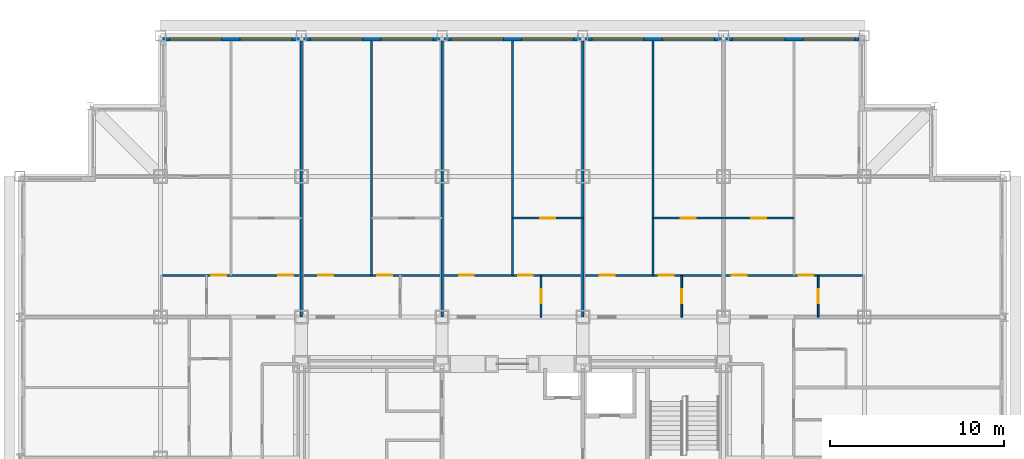
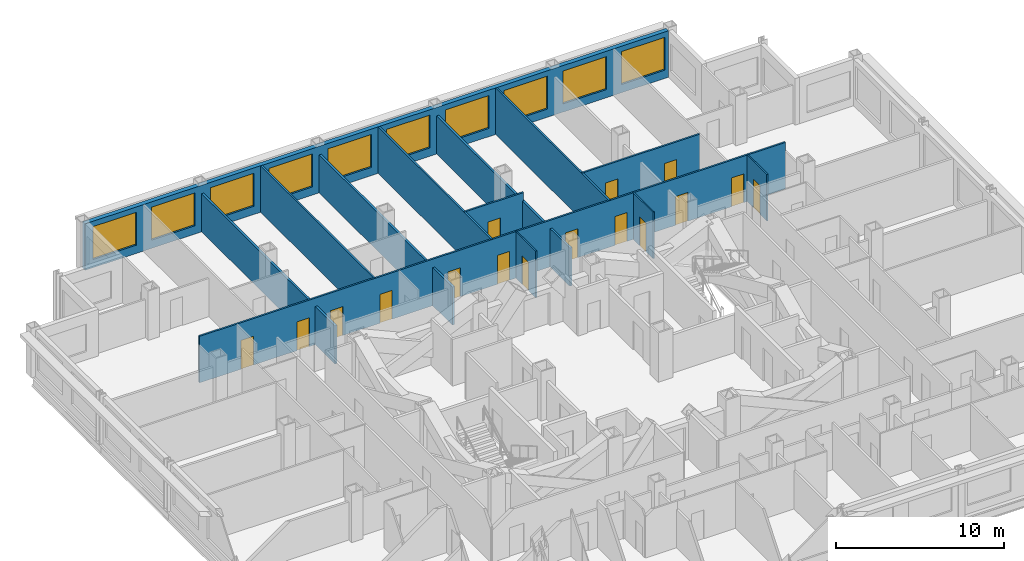
# One storey, part 10 of 12: 16 doors, 13 walls, 10 windows, 26 openings.
"""IFC4 building model written with IfcOpenShell, lengths in metres."""

from ifc_helpers import new_model, si_unit, direction, frame, frame_2d, origin, place, context, subcontext, project, spatial, rectangle, extrude, material, layer, layer_set, type_object, element, fill, save


model = new_model("IFC4")

# Units and contexts
model_context = context("Model", 3, precision=1e-05, world=origin(), true_north=direction((0.0, 1.0)))
body_context = subcontext(model_context, "Body", "Model", "MODEL_VIEW")
ifc_project = project(units=[si_unit("LENGTHUNIT", "METRE"), si_unit("AREAUNIT", "SQUARE_METRE"), si_unit("VOLUMEUNIT", "CUBIC_METRE"), si_unit("PLANEANGLEUNIT", "RADIAN"), si_unit("MASSUNIT", "GRAM", prefix="KILO")], contexts=[model_context])

# Site, building, storey
site_placement = place(None, origin())
site = spatial("IfcSite", under=ifc_project, at=site_placement, CompositionType="ELEMENT")
building_placement = place(site_placement, origin())
building = spatial("IfcBuilding", under=site, at=building_placement, Name="Kopane Lantern Tower", CompositionType="ELEMENT")
storey_placement = place(building_placement, frame((0.0, 0.0, 177.60009765625)))
storey = spatial("IfcBuildingStorey", under=building, at=storey_placement, Name="L45", CompositionType="ELEMENT", Elevation=177.60009765625)

# Walls
ifc_material_1 = material(Name="Gypsum board on steel studs", Category="steel")
ifc_layer_1 = layer(ifc_material_1, 0.1201171875)
ifc_layer_set_1 = layer_set([ifc_layer_1], Name="APARTMENT INTERNAL WALL 120")
wall_type_1 = type_object("IfcWallType", Name="APARTMENT INTERNAL WALL 120", PredefinedType="PARTITIONING", material=ifc_layer_set_1)
for number, where, z_axis, x_axis, name in (
    (1, (20.25, 45.60009765625, 0.0), (0.0, 0.0, 1.0), (0.0, 1.0, 0.0), "Apartment Internal Wall 120 L45"),
    (2, (28.35009765625, 45.60009765625, 0.0), (0.0, 0.0, 1.0), (0.0, 1.0, 0.0), "Apartment Internal Wall 120 L45"),
    (3, (36.449951171875, 45.60009765625, 0.0), (0.0, 0.0, 1.0), (0.0, 1.0, 0.0), "Apartment Internal Wall 120 L45"),
):
    element("IfcWall", number, at=place(storey_placement, frame(where, z_axis=z_axis, x_axis=x_axis)), inside=storey, type_object=wall_type_1, Name=name, PredefinedType="PARTITIONING", context=body_context, shape_type="SweptSolid", body=[
        extrude(rectangle(XDim=13.5, YDim=0.1201171875, at=frame_2d((6.75, 0.0))), origin(), (0.0, 0.0, 1.0), 3.389892578125),
    ])

# Wall, openings, doors
wall_1_placement = place(storey_placement, frame((8.14990234375, 45.60009765625, 0.0), z_axis=(0.0, 0.0, 1.0), x_axis=(1.0, 0.0, 0.0)))
wall_1 = element("IfcWall", 4, at=wall_1_placement, inside=storey, type_object=wall_type_1, Name="Apartment Internal Wall 120 L45", PredefinedType="PARTITIONING", context=body_context, shape_type="SweptSolid", body=[
    extrude(rectangle(XDim=40.400146484375, YDim=0.1201171875, at=frame_2d((20.2001953125, 0.0))), origin(), (0.0, 0.0, 1.0), 3.389892578125),
])
opening_1_placement = place(wall_1_placement, frame((9.02490234375, 0.0, 0.0)))
opening_1 = element("IfcOpeningElement", 5, at=opening_1_placement, cuts=wall_1, Name="Opening L45-022", PredefinedType="OPENING", context=body_context, shape_type="SweptSolid", body=[
    extrude(rectangle(XDim=0.85009765625, YDim=2.10009765625, at=frame_2d((0.425048828125, 1.050048828125))), frame((0.0, 0.070068359375, 0.0), z_axis=(0.0, -1.0, 0.0), x_axis=(1.0, 0.0, 0.0)), (0.0, 0.0, 1.0), 0.14013671875),
])
opening_2_placement = place(wall_1_placement, frame((12.425048828125, 0.0, 0.0)))
opening_2 = element("IfcOpeningElement", 6, at=opening_2_placement, cuts=wall_1, Name="Opening L45-023", PredefinedType="OPENING", context=body_context, shape_type="SweptSolid", body=[
    extrude(rectangle(XDim=0.85009765625, YDim=2.10009765625, at=frame_2d((0.425048828125, 1.050048828125))), frame((0.0, 0.070068359375, 0.0), z_axis=(0.0, -1.0, 0.0), x_axis=(1.0, 0.0, 0.0)), (0.0, 0.0, 1.0), 0.14013671875),
])
opening_3_placement = place(wall_1_placement, frame((17.125, 0.0, 0.0)))
opening_3 = element("IfcOpeningElement", 7, at=opening_3_placement, cuts=wall_1, Name="Opening L45-026", PredefinedType="OPENING", context=body_context, shape_type="SweptSolid", body=[
    extrude(rectangle(XDim=0.85009765625, YDim=2.10009765625, at=frame_2d((0.425048828125, 1.050048828125))), frame((0.0, 0.070068359375, 0.0), z_axis=(0.0, -1.0, 0.0), x_axis=(1.0, 0.0, 0.0)), (0.0, 0.0, 1.0), 0.14013671875),
])
opening_4_placement = place(wall_1_placement, frame((20.52490234375, 0.0, 0.0)))
opening_4 = element("IfcOpeningElement", 8, at=opening_4_placement, cuts=wall_1, Name="Opening L45-027", PredefinedType="OPENING", context=body_context, shape_type="SweptSolid", body=[
    extrude(rectangle(XDim=0.85009765625, YDim=2.10009765625, at=frame_2d((0.425048828125, 1.050048828125))), frame((0.0, 0.070068359375, 0.0), z_axis=(0.0, -1.0, 0.0), x_axis=(1.0, 0.0, 0.0)), (0.0, 0.0, 1.0), 0.14013671875),
])
opening_5_placement = place(wall_1_placement, frame((25.22509765625, 0.0, 0.0)))
opening_5 = element("IfcOpeningElement", 9, at=opening_5_placement, cuts=wall_1, Name="Opening L45-030", PredefinedType="OPENING", context=body_context, shape_type="SweptSolid", body=[
    extrude(rectangle(XDim=0.85009765625, YDim=2.10009765625, at=frame_2d((0.425048828125, 1.050048828125))), frame((0.0, 0.070068359375, 0.0), z_axis=(0.0, -1.0, 0.0), x_axis=(1.0, 0.0, 0.0)), (0.0, 0.0, 1.0), 0.14013671875),
])
opening_6_placement = place(wall_1_placement, frame((28.625, 0.0, 0.0)))
opening_6 = element("IfcOpeningElement", 10, at=opening_6_placement, cuts=wall_1, Name="Opening L45-031", PredefinedType="OPENING", context=body_context, shape_type="SweptSolid", body=[
    extrude(rectangle(XDim=0.85009765625, YDim=2.10009765625, at=frame_2d((0.425048828125, 1.050048828125))), frame((0.0, 0.070068359375, 0.0), z_axis=(0.0, -1.0, 0.0), x_axis=(1.0, 0.0, 0.0)), (0.0, 0.0, 1.0), 0.14013671875),
])
opening_7_placement = place(wall_1_placement, frame((32.824951171875, 0.0, 0.0)))
opening_7 = element("IfcOpeningElement", 11, at=opening_7_placement, cuts=wall_1, Name="Opening L45-063", PredefinedType="OPENING", context=body_context, shape_type="SweptSolid", body=[
    extrude(rectangle(XDim=0.85009765625, YDim=2.10009765625, at=frame_2d((0.425048828125, 1.050048828125))), frame((0.0, 0.070068359375, 0.0), z_axis=(0.0, -1.0, 0.0), x_axis=(1.0, 0.0, 0.0)), (0.0, 0.0, 1.0), 0.14013671875),
])
opening_8_placement = place(wall_1_placement, frame((36.675048828125, 0.0, 0.0)))
opening_8 = element("IfcOpeningElement", 12, at=opening_8_placement, cuts=wall_1, Name="Opening L45-065", PredefinedType="OPENING", context=body_context, shape_type="SweptSolid", body=[
    extrude(rectangle(XDim=0.85009765625, YDim=2.10009765625, at=frame_2d((0.425048828125, 1.050048828125))), frame((0.0, 0.070068359375, 0.0), z_axis=(0.0, -1.0, 0.0), x_axis=(1.0, 0.0, 0.0)), (0.0, 0.0, 1.0), 0.14013671875),
])
opening_9_placement = place(wall_1_placement, frame((6.72509765625, 0.0, 0.0)))
opening_9 = element("IfcOpeningElement", 13, at=opening_9_placement, cuts=wall_1, Name="Opening L45-068", PredefinedType="OPENING", context=body_context, shape_type="SweptSolid", body=[
    extrude(rectangle(XDim=0.85009765625, YDim=2.10009765625, at=frame_2d((0.425048828125, 1.050048828125))), frame((0.0, 0.070068359375, 0.0), z_axis=(0.0, -1.0, 0.0), x_axis=(1.0, 0.0, 0.0)), (0.0, 0.0, 1.0), 0.14013671875),
])
opening_10_placement = place(wall_1_placement, frame((2.875, 0.0, 0.0)))
opening_10 = element("IfcOpeningElement", 14, at=opening_10_placement, cuts=wall_1, Name="Opening L45-070", PredefinedType="OPENING", context=body_context, shape_type="SweptSolid", body=[
    extrude(rectangle(XDim=0.85009765625, YDim=2.10009765625, at=frame_2d((0.425048828125, 1.050048828125))), frame((0.0, 0.070068359375, 0.0), z_axis=(0.0, -1.0, 0.0), x_axis=(1.0, 0.0, 0.0)), (0.0, 0.0, 1.0), 0.14013671875),
])
ifc_material_2 = material(Name="Timber door set", Category="wood")
door_type_1 = type_object("IfcDoorType", Name="DOOR D4 850x2100", OperationType="SINGLE_SWING_LEFT", PredefinedType="DOOR", material=ifc_material_2)
door_1_placement = place(opening_1_placement, origin())
door_1 = element("IfcDoor", 15, at=door_1_placement, inside=storey, type_object=door_type_1, Name="Door L45-022", OperationType="SINGLE_SWING_RIGHT", OverallHeight=2.10009765625, OverallWidth=0.85009765625, PredefinedType="DOOR", context=body_context, shape_type="SweptSolid", body=[
    extrude(rectangle(XDim=0.85009765625, YDim=2.10009765625, at=frame_2d((0.425048828125, 1.050048828125))), frame((0.0, 0.02490234375, 0.0), z_axis=(0.0, -1.0, 0.0), x_axis=(1.0, 0.0, 0.0)), (0.0, 0.0, 1.0), 0.050048828125),
])
fill(opening_1, door_1)
door_2_placement = place(opening_2_placement, origin())
door_2 = element("IfcDoor", 16, at=door_2_placement, inside=storey, type_object=door_type_1, Name="Door L45-023", OperationType="SINGLE_SWING_LEFT", OverallHeight=2.10009765625, OverallWidth=0.85009765625, PredefinedType="DOOR", context=body_context, shape_type="SweptSolid", body=[
    extrude(rectangle(XDim=0.85009765625, YDim=2.10009765625, at=frame_2d((0.425048828125, 1.050048828125))), frame((0.0, 0.02490234375, 0.0), z_axis=(0.0, -1.0, 0.0), x_axis=(1.0, 0.0, 0.0)), (0.0, 0.0, 1.0), 0.050048828125),
])
fill(opening_2, door_2)
door_3_placement = place(opening_3_placement, origin())
door_3 = element("IfcDoor", 17, at=door_3_placement, inside=storey, type_object=door_type_1, Name="Door L45-026", OperationType="SINGLE_SWING_RIGHT", OverallHeight=2.10009765625, OverallWidth=0.85009765625, PredefinedType="DOOR", context=body_context, shape_type="SweptSolid", body=[
    extrude(rectangle(XDim=0.85009765625, YDim=2.10009765625, at=frame_2d((0.425048828125, 1.050048828125))), frame((0.0, 0.02490234375, 0.0), z_axis=(0.0, -1.0, 0.0), x_axis=(1.0, 0.0, 0.0)), (0.0, 0.0, 1.0), 0.050048828125),
])
fill(opening_3, door_3)
door_4_placement = place(opening_4_placement, origin())
door_4 = element("IfcDoor", 18, at=door_4_placement, inside=storey, type_object=door_type_1, Name="Door L45-027", OperationType="SINGLE_SWING_LEFT", OverallHeight=2.10009765625, OverallWidth=0.85009765625, PredefinedType="DOOR", context=body_context, shape_type="SweptSolid", body=[
    extrude(rectangle(XDim=0.85009765625, YDim=2.10009765625, at=frame_2d((0.425048828125, 1.050048828125))), frame((0.0, 0.02490234375, 0.0), z_axis=(0.0, -1.0, 0.0), x_axis=(1.0, 0.0, 0.0)), (0.0, 0.0, 1.0), 0.050048828125),
])
fill(opening_4, door_4)
door_5_placement = place(opening_5_placement, origin())
door_5 = element("IfcDoor", 19, at=door_5_placement, inside=storey, type_object=door_type_1, Name="Door L45-030", OperationType="SINGLE_SWING_RIGHT", OverallHeight=2.10009765625, OverallWidth=0.85009765625, PredefinedType="DOOR", context=body_context, shape_type="SweptSolid", body=[
    extrude(rectangle(XDim=0.85009765625, YDim=2.10009765625, at=frame_2d((0.425048828125, 1.050048828125))), frame((0.0, 0.02490234375, 0.0), z_axis=(0.0, -1.0, 0.0), x_axis=(1.0, 0.0, 0.0)), (0.0, 0.0, 1.0), 0.050048828125),
])
fill(opening_5, door_5)
door_6_placement = place(opening_6_placement, origin())
door_6 = element("IfcDoor", 20, at=door_6_placement, inside=storey, type_object=door_type_1, Name="Door L45-031", OperationType="SINGLE_SWING_LEFT", OverallHeight=2.10009765625, OverallWidth=0.85009765625, PredefinedType="DOOR", context=body_context, shape_type="SweptSolid", body=[
    extrude(rectangle(XDim=0.85009765625, YDim=2.10009765625, at=frame_2d((0.425048828125, 1.050048828125))), frame((0.0, 0.02490234375, 0.0), z_axis=(0.0, -1.0, 0.0), x_axis=(1.0, 0.0, 0.0)), (0.0, 0.0, 1.0), 0.050048828125),
])
fill(opening_6, door_6)
door_7_placement = place(opening_7_placement, origin())
door_7 = element("IfcDoor", 21, at=door_7_placement, inside=storey, type_object=door_type_1, Name="Door L45-063", OperationType="SINGLE_SWING_RIGHT", OverallHeight=2.10009765625, OverallWidth=0.85009765625, PredefinedType="DOOR", context=body_context, shape_type="SweptSolid", body=[
    extrude(rectangle(XDim=0.85009765625, YDim=2.10009765625, at=frame_2d((0.425048828125, 1.050048828125))), frame((0.0, 0.02490234375, 0.0), z_axis=(0.0, -1.0, 0.0), x_axis=(1.0, 0.0, 0.0)), (0.0, 0.0, 1.0), 0.050048828125),
])
fill(opening_7, door_7)
door_8_placement = place(opening_8_placement, origin())
door_8 = element("IfcDoor", 22, at=door_8_placement, inside=storey, type_object=door_type_1, Name="Door L45-065", OperationType="SINGLE_SWING_LEFT", OverallHeight=2.10009765625, OverallWidth=0.85009765625, PredefinedType="DOOR", context=body_context, shape_type="SweptSolid", body=[
    extrude(rectangle(XDim=0.85009765625, YDim=2.10009765625, at=frame_2d((0.425048828125, 1.050048828125))), frame((0.0, 0.02490234375, 0.0), z_axis=(0.0, -1.0, 0.0), x_axis=(1.0, 0.0, 0.0)), (0.0, 0.0, 1.0), 0.050048828125),
])
fill(opening_8, door_8)
door_9_placement = place(opening_9_placement, origin())
door_9 = element("IfcDoor", 23, at=door_9_placement, inside=storey, type_object=door_type_1, Name="Door L45-068", OperationType="SINGLE_SWING_LEFT", OverallHeight=2.10009765625, OverallWidth=0.85009765625, PredefinedType="DOOR", context=body_context, shape_type="SweptSolid", body=[
    extrude(rectangle(XDim=0.85009765625, YDim=2.10009765625, at=frame_2d((0.425048828125, 1.050048828125))), frame((0.0, 0.02490234375, 0.0), z_axis=(0.0, -1.0, 0.0), x_axis=(1.0, 0.0, 0.0)), (0.0, 0.0, 1.0), 0.050048828125),
])
fill(opening_9, door_9)
door_10_placement = place(opening_10_placement, origin())
door_10 = element("IfcDoor", 24, at=door_10_placement, inside=storey, type_object=door_type_1, Name="Door L45-070", OperationType="SINGLE_SWING_RIGHT", OverallHeight=2.10009765625, OverallWidth=0.85009765625, PredefinedType="DOOR", context=body_context, shape_type="SweptSolid", body=[
    extrude(rectangle(XDim=0.85009765625, YDim=2.10009765625, at=frame_2d((0.425048828125, 1.050048828125))), frame((0.0, 0.02490234375, 0.0), z_axis=(0.0, -1.0, 0.0), x_axis=(1.0, 0.0, 0.0)), (0.0, 0.0, 1.0), 0.050048828125),
])
fill(opening_10, door_10)

# Wall, opening, door
wall_2_placement = place(storey_placement, frame((28.35009765625, 48.89990234375, 0.0), z_axis=(0.0, 0.0, 1.0), x_axis=(1.0, 0.0, 0.0)))
wall_2 = element("IfcWall", 25, at=wall_2_placement, inside=storey, type_object=wall_type_1, Name="Apartment Internal Wall 120 L45", PredefinedType="PARTITIONING", context=body_context, shape_type="SweptSolid", body=[
    extrude(rectangle(XDim=4.0498046875, YDim=0.1201171875, at=frame_2d((2.02490234375, 0.0))), origin(), (0.0, 0.0, 1.0), 3.389892578125),
])
opening_11_placement = place(wall_2_placement, frame((1.60009765625, 0.0, 0.0)))
opening_11 = element("IfcOpeningElement", 26, at=opening_11_placement, cuts=wall_2, Name="Opening L45-075", PredefinedType="OPENING", context=body_context, shape_type="SweptSolid", body=[
    extrude(rectangle(XDim=0.85009765625, YDim=2.10009765625, at=frame_2d((0.425048828125, 1.050048828125))), frame((0.0, 0.070068359375, 0.0), z_axis=(0.0, -1.0, 0.0), x_axis=(1.0, 0.0, 0.0)), (0.0, 0.0, 1.0), 0.14013671875),
])
door_11_placement = place(opening_11_placement, origin())
door_11 = element("IfcDoor", 27, at=door_11_placement, inside=storey, type_object=door_type_1, Name="Door L45-075", OperationType="SINGLE_SWING_RIGHT", OverallHeight=2.10009765625, OverallWidth=0.85009765625, PredefinedType="DOOR", context=body_context, shape_type="SweptSolid", body=[
    extrude(rectangle(XDim=0.85009765625, YDim=2.10009765625, at=frame_2d((0.425048828125, 1.050048828125))), frame((0.0, 0.02490234375, 0.0), z_axis=(0.0, -1.0, 0.0), x_axis=(1.0, 0.0, 0.0)), (0.0, 0.0, 1.0), 0.050048828125),
])
fill(opening_11, door_11)

# Wall, openings, doors
wall_3_placement = place(storey_placement, frame((36.449951171875, 48.89990234375, 0.0), z_axis=(0.0, 0.0, 1.0), x_axis=(1.0, 0.0, 0.0)))
wall_3 = element("IfcWall", 28, at=wall_3_placement, inside=storey, type_object=wall_type_1, Name="Apartment Internal Wall 120 L45", PredefinedType="PARTITIONING", context=body_context, shape_type="SweptSolid", body=[
    extrude(rectangle(XDim=8.10009765625, YDim=0.1201171875, at=frame_2d((4.050048828125, 0.0))), origin(), (0.0, 0.0, 1.0), 3.389892578125),
])
opening_12_placement = place(wall_3_placement, frame((1.60009765625, 0.0, 0.0)))
opening_12 = element("IfcOpeningElement", 29, at=opening_12_placement, cuts=wall_3, Name="Opening L45-076", PredefinedType="OPENING", context=body_context, shape_type="SweptSolid", body=[
    extrude(rectangle(XDim=0.85009765625, YDim=2.10009765625, at=frame_2d((0.425048828125, 1.050048828125))), frame((0.0, 0.070068359375, 0.0), z_axis=(0.0, -1.0, 0.0), x_axis=(1.0, 0.0, 0.0)), (0.0, 0.0, 1.0), 0.14013671875),
])
opening_13_placement = place(wall_3_placement, frame((5.64990234375, 0.0, 0.0)))
opening_13 = element("IfcOpeningElement", 30, at=opening_13_placement, cuts=wall_3, Name="Opening L45-077", PredefinedType="OPENING", context=body_context, shape_type="SweptSolid", body=[
    extrude(rectangle(XDim=0.85009765625, YDim=2.10009765625, at=frame_2d((0.425048828125, 1.050048828125))), frame((0.0, 0.070068359375, 0.0), z_axis=(0.0, -1.0, 0.0), x_axis=(1.0, 0.0, 0.0)), (0.0, 0.0, 1.0), 0.14013671875),
])
door_12_placement = place(opening_12_placement, origin())
door_12 = element("IfcDoor", 31, at=door_12_placement, inside=storey, type_object=door_type_1, Name="Door L45-076", OperationType="SINGLE_SWING_RIGHT", OverallHeight=2.10009765625, OverallWidth=0.85009765625, PredefinedType="DOOR", context=body_context, shape_type="SweptSolid", body=[
    extrude(rectangle(XDim=0.85009765625, YDim=2.10009765625, at=frame_2d((0.425048828125, 1.050048828125))), frame((0.0, 0.02490234375, 0.0), z_axis=(0.0, -1.0, 0.0), x_axis=(1.0, 0.0, 0.0)), (0.0, 0.0, 1.0), 0.050048828125),
])
fill(opening_12, door_12)
door_13_placement = place(opening_13_placement, origin())
door_13 = element("IfcDoor", 32, at=door_13_placement, inside=storey, type_object=door_type_1, Name="Door L45-077", OperationType="SINGLE_SWING_LEFT", OverallHeight=2.10009765625, OverallWidth=0.85009765625, PredefinedType="DOOR", context=body_context, shape_type="SweptSolid", body=[
    extrude(rectangle(XDim=0.85009765625, YDim=2.10009765625, at=frame_2d((0.425048828125, 1.050048828125))), frame((0.0, 0.02490234375, 0.0), z_axis=(0.0, -1.0, 0.0), x_axis=(1.0, 0.0, 0.0)), (0.0, 0.0, 1.0), 0.050048828125),
])
fill(opening_13, door_13)

# Wall, opening, door
ifc_material_3 = material(Name="Moisture-resistant board on steel studs", Category="steel")
ifc_layer_2 = layer(ifc_material_3, 0.10009765625)
ifc_layer_set_2 = layer_set([ifc_layer_2], Name="BATHROOM WALL 100")
wall_type_2 = type_object("IfcWallType", Name="BATHROOM WALL 100", PredefinedType="PARTITIONING", material=ifc_layer_set_2)
wall_4_placement = place(storey_placement, frame((30.0, 43.199951171875, 0.0), z_axis=(0.0, 0.0, 1.0), x_axis=(0.0, 1.0, 0.0)))
wall_4 = element("IfcWall", 33, at=wall_4_placement, inside=storey, type_object=wall_type_2, Name="Bathroom Wall 100 L45", PredefinedType="PARTITIONING", context=body_context, shape_type="SweptSolid", body=[
    extrude(rectangle(XDim=2.400146484375, YDim=0.10009765625, at=frame_2d((1.2001953125, 0.0))), origin(), (0.0, 0.0, 1.0), 3.389892578125),
])
opening_14_placement = place(wall_4_placement, frame((0.800048828125, 0.0, 0.0)))
opening_14 = element("IfcOpeningElement", 34, at=opening_14_placement, cuts=wall_4, Name="Opening L45-024", PredefinedType="OPENING", context=body_context, shape_type="SweptSolid", body=[
    extrude(rectangle(XDim=0.800048828125, YDim=2.10009765625, at=frame_2d((0.39990234375, 1.050048828125))), frame((0.0, 0.06005859375, 0.0), z_axis=(0.0, -1.0, 0.0), x_axis=(1.0, 0.0, 0.0)), (0.0, 0.0, 1.0), 0.1201171875),
])
ifc_material_4 = material(Name="Timber door set", Category="wood")
door_type_2 = type_object("IfcDoorType", Name="DOOR D2 800x2100", OperationType="SINGLE_SWING_LEFT", PredefinedType="DOOR", material=ifc_material_4)
door_14_placement = place(opening_14_placement, origin())
door_14 = element("IfcDoor", 35, at=door_14_placement, inside=storey, type_object=door_type_2, Name="Door L45-024", OperationType="SINGLE_SWING_RIGHT", OverallHeight=2.10009765625, OverallWidth=0.800048828125, PredefinedType="DOOR", context=body_context, shape_type="SweptSolid", body=[
    extrude(rectangle(XDim=0.800048828125, YDim=2.10009765625, at=frame_2d((0.39990234375, 1.050048828125))), frame((0.0, 0.02490234375, 0.0), z_axis=(0.0, -1.0, 0.0), x_axis=(1.0, 0.0, 0.0)), (0.0, 0.0, 1.0), 0.050048828125),
])
fill(opening_14, door_14)

wall_5_placement = place(storey_placement, frame((38.10009765625, 43.199951171875, 0.0), z_axis=(0.0, 0.0, 1.0), x_axis=(0.0, 1.0, 0.0)))
wall_5 = element("IfcWall", 36, at=wall_5_placement, inside=storey, type_object=wall_type_2, Name="Bathroom Wall 100 L45", PredefinedType="PARTITIONING", context=body_context, shape_type="SweptSolid", body=[
    extrude(rectangle(XDim=2.400146484375, YDim=0.10009765625, at=frame_2d((1.2001953125, 0.0))), origin(), (0.0, 0.0, 1.0), 3.389892578125),
])
opening_15_placement = place(wall_5_placement, frame((0.800048828125, 0.0, 0.0)))
opening_15 = element("IfcOpeningElement", 37, at=opening_15_placement, cuts=wall_5, Name="Opening L45-028", PredefinedType="OPENING", context=body_context, shape_type="SweptSolid", body=[
    extrude(rectangle(XDim=0.800048828125, YDim=2.10009765625, at=frame_2d((0.39990234375, 1.050048828125))), frame((0.0, 0.06005859375, 0.0), z_axis=(0.0, -1.0, 0.0), x_axis=(1.0, 0.0, 0.0)), (0.0, 0.0, 1.0), 0.1201171875),
])
door_15_placement = place(opening_15_placement, origin())
door_15 = element("IfcDoor", 38, at=door_15_placement, inside=storey, type_object=door_type_2, Name="Door L45-028", OperationType="SINGLE_SWING_RIGHT", OverallHeight=2.10009765625, OverallWidth=0.800048828125, PredefinedType="DOOR", context=body_context, shape_type="SweptSolid", body=[
    extrude(rectangle(XDim=0.800048828125, YDim=2.10009765625, at=frame_2d((0.39990234375, 1.050048828125))), frame((0.0, 0.02490234375, 0.0), z_axis=(0.0, -1.0, 0.0), x_axis=(1.0, 0.0, 0.0)), (0.0, 0.0, 1.0), 0.050048828125),
])
fill(opening_15, door_15)

wall_6_placement = place(storey_placement, frame((45.949951171875, 43.199951171875, 0.0), z_axis=(0.0, 0.0, 1.0), x_axis=(0.0, 1.0, 0.0)))
wall_6 = element("IfcWall", 39, at=wall_6_placement, inside=storey, type_object=wall_type_2, Name="Bathroom Wall 100 L45", PredefinedType="PARTITIONING", context=body_context, shape_type="SweptSolid", body=[
    extrude(rectangle(XDim=2.400146484375, YDim=0.10009765625, at=frame_2d((1.2001953125, 0.0))), origin(), (0.0, 0.0, 1.0), 3.389892578125),
])
opening_16_placement = place(wall_6_placement, frame((0.800048828125, 0.0, 0.0)))
opening_16 = element("IfcOpeningElement", 40, at=opening_16_placement, cuts=wall_6, Name="Opening L45-064", PredefinedType="OPENING", context=body_context, shape_type="SweptSolid", body=[
    extrude(rectangle(XDim=0.800048828125, YDim=2.10009765625, at=frame_2d((0.39990234375, 1.050048828125))), frame((0.0, 0.06005859375, 0.0), z_axis=(0.0, -1.0, 0.0), x_axis=(1.0, 0.0, 0.0)), (0.0, 0.0, 1.0), 0.1201171875),
])
door_16_placement = place(opening_16_placement, origin())
door_16 = element("IfcDoor", 41, at=door_16_placement, inside=storey, type_object=door_type_2, Name="Door L45-064", OperationType="SINGLE_SWING_RIGHT", OverallHeight=2.10009765625, OverallWidth=0.800048828125, PredefinedType="DOOR", context=body_context, shape_type="SweptSolid", body=[
    extrude(rectangle(XDim=0.800048828125, YDim=2.10009765625, at=frame_2d((0.39990234375, 1.050048828125))), frame((0.0, 0.02490234375, 0.0), z_axis=(0.0, -1.0, 0.0), x_axis=(1.0, 0.0, 0.0)), (0.0, 0.0, 1.0), 0.050048828125),
])
fill(opening_16, door_16)

# Walls
ifc_material_5 = material(Name="Gypsum board on steel studs", Category="steel")
ifc_layer_3 = layer(ifc_material_5, 0.14990234375)
ifc_layer_set_3 = layer_set([ifc_layer_3], Name="DEMISING WALL 150 EI 60")
wall_type_3 = type_object("IfcWallType", Name="DEMISING WALL 150 EI 60", PredefinedType="PARTITIONING", material=ifc_layer_set_3)
for number, where, z_axis, x_axis, name in (
    (42, (24.300048828125, 43.199951171875, 0.0), (0.0, 0.0, 1.0), (0.0, 1.0, 0.0), "Demising Wall 150 Ei 60 L45"),
    (43, (32.39990234375, 43.199951171875, 0.0), (0.0, 0.0, 1.0), (0.0, 1.0, 0.0), "Demising Wall 150 Ei 60 L45"),
    (44, (16.199951171875, 43.199951171875, 0.0), (0.0, 0.0, 1.0), (0.0, 1.0, 0.0), "Demising Wall 150 Ei 60 L45"),
):
    element("IfcWall", number, at=place(storey_placement, frame(where, z_axis=z_axis, x_axis=x_axis)), inside=storey, type_object=wall_type_3, Name=name, PredefinedType="PARTITIONING", context=body_context, shape_type="SweptSolid", body=[
        extrude(rectangle(XDim=15.900146484375, YDim=0.14990234375, at=frame_2d((7.9501953125, 0.0))), origin(), (0.0, 0.0, 1.0), 2.777587890625),
    ])

# Wall, openings, windows
ifc_material_6 = material(Name="Terracotta rainscreen on light steel framing", Category="masonry")
ifc_layer_4 = layer(ifc_material_6, 0.300048828125)
ifc_layer_set_4 = layer_set([ifc_layer_4], Name="EXTERNAL WALL EW1 300 TERRACOTTA")
wall_type_4 = type_object("IfcWallType", Name="EXTERNAL WALL EW1 300 TERRACOTTA", PredefinedType="SOLIDWALL", material=ifc_layer_set_4)
wall_7_placement = place(storey_placement, frame((48.300048828125, 59.25, 0.0), z_axis=(0.0, 0.0, 1.0), x_axis=(-1.0, 0.0, 0.0)))
wall_7 = element("IfcWall", 45, at=wall_7_placement, inside=storey, type_object=wall_type_4, Name="External wall N L45", PredefinedType="SOLIDWALL", context=body_context, shape_type="SweptSolid", body=[
    extrude(rectangle(XDim=40.199951171875, YDim=0.300048828125, at=frame_2d((20.10009765625, 0.0))), origin(), (0.0, 0.0, 1.0), 3.389892578125),
])
opening_17_placement = place(wall_7_placement, frame((0.22509765625, 0.0, 0.60009765625)))
opening_17 = element("IfcOpeningElement", 46, at=opening_17_placement, cuts=wall_7, Name="Opening WR300240", PredefinedType="OPENING", context=body_context, shape_type="SweptSolid", body=[
    extrude(rectangle(XDim=3.0, YDim=2.39990234375, at=frame_2d((1.5, 1.199951171875))), frame((0.0, 0.159912109375, 0.0), z_axis=(0.0, -1.0, 0.0), x_axis=(1.0, 0.0, 0.0)), (0.0, 0.0, 1.0), 0.320068359375),
])
opening_18_placement = place(wall_7_placement, frame((4.27490234375, 0.0, 0.60009765625)))
opening_18 = element("IfcOpeningElement", 47, at=opening_18_placement, cuts=wall_7, Name="Opening WR300240", PredefinedType="OPENING", context=body_context, shape_type="SweptSolid", body=[
    extrude(rectangle(XDim=3.0, YDim=2.39990234375, at=frame_2d((1.5, 1.199951171875))), frame((0.0, 0.159912109375, 0.0), z_axis=(0.0, -1.0, 0.0), x_axis=(1.0, 0.0, 0.0)), (0.0, 0.0, 1.0), 0.320068359375),
])
opening_19_placement = place(wall_7_placement, frame((8.324951171875, 0.0, 0.60009765625)))
opening_19 = element("IfcOpeningElement", 48, at=opening_19_placement, cuts=wall_7, Name="Opening WR300240", PredefinedType="OPENING", context=body_context, shape_type="SweptSolid", body=[
    extrude(rectangle(XDim=3.0, YDim=2.39990234375, at=frame_2d((1.5, 1.199951171875))), frame((0.0, 0.159912109375, 0.0), z_axis=(0.0, -1.0, 0.0), x_axis=(1.0, 0.0, 0.0)), (0.0, 0.0, 1.0), 0.320068359375),
])
opening_20_placement = place(wall_7_placement, frame((12.375, 0.0, 0.60009765625)))
opening_20 = element("IfcOpeningElement", 49, at=opening_20_placement, cuts=wall_7, Name="Opening WR300240", PredefinedType="OPENING", context=body_context, shape_type="SweptSolid", body=[
    extrude(rectangle(XDim=3.0, YDim=2.39990234375, at=frame_2d((1.5, 1.199951171875))), frame((0.0, 0.159912109375, 0.0), z_axis=(0.0, -1.0, 0.0), x_axis=(1.0, 0.0, 0.0)), (0.0, 0.0, 1.0), 0.320068359375),
])
opening_21_placement = place(wall_7_placement, frame((16.425048828125, 0.0, 0.60009765625)))
opening_21 = element("IfcOpeningElement", 50, at=opening_21_placement, cuts=wall_7, Name="Opening WR300240", PredefinedType="OPENING", context=body_context, shape_type="SweptSolid", body=[
    extrude(rectangle(XDim=3.0, YDim=2.39990234375, at=frame_2d((1.5, 1.199951171875))), frame((0.0, 0.159912109375, 0.0), z_axis=(0.0, -1.0, 0.0), x_axis=(1.0, 0.0, 0.0)), (0.0, 0.0, 1.0), 0.320068359375),
])
opening_22_placement = place(wall_7_placement, frame((20.47509765625, 0.0, 0.60009765625)))
opening_22 = element("IfcOpeningElement", 51, at=opening_22_placement, cuts=wall_7, Name="Opening WR300240", PredefinedType="OPENING", context=body_context, shape_type="SweptSolid", body=[
    extrude(rectangle(XDim=3.0, YDim=2.39990234375, at=frame_2d((1.5, 1.199951171875))), frame((0.0, 0.159912109375, 0.0), z_axis=(0.0, -1.0, 0.0), x_axis=(1.0, 0.0, 0.0)), (0.0, 0.0, 1.0), 0.320068359375),
])
opening_23_placement = place(wall_7_placement, frame((24.52490234375, 0.0, 0.60009765625)))
opening_23 = element("IfcOpeningElement", 52, at=opening_23_placement, cuts=wall_7, Name="Opening WR300240", PredefinedType="OPENING", context=body_context, shape_type="SweptSolid", body=[
    extrude(rectangle(XDim=3.0, YDim=2.39990234375, at=frame_2d((1.5, 1.199951171875))), frame((0.0, 0.159912109375, 0.0), z_axis=(0.0, -1.0, 0.0), x_axis=(1.0, 0.0, 0.0)), (0.0, 0.0, 1.0), 0.320068359375),
])
opening_24_placement = place(wall_7_placement, frame((28.574951171875, 0.0, 0.60009765625)))
opening_24 = element("IfcOpeningElement", 53, at=opening_24_placement, cuts=wall_7, Name="Opening WR300240", PredefinedType="OPENING", context=body_context, shape_type="SweptSolid", body=[
    extrude(rectangle(XDim=3.0, YDim=2.39990234375, at=frame_2d((1.5, 1.199951171875))), frame((0.0, 0.159912109375, 0.0), z_axis=(0.0, -1.0, 0.0), x_axis=(1.0, 0.0, 0.0)), (0.0, 0.0, 1.0), 0.320068359375),
])
opening_25_placement = place(wall_7_placement, frame((32.625, 0.0, 0.60009765625)))
opening_25 = element("IfcOpeningElement", 54, at=opening_25_placement, cuts=wall_7, Name="Opening WR300240", PredefinedType="OPENING", context=body_context, shape_type="SweptSolid", body=[
    extrude(rectangle(XDim=3.0, YDim=2.39990234375, at=frame_2d((1.5, 1.199951171875))), frame((0.0, 0.159912109375, 0.0), z_axis=(0.0, -1.0, 0.0), x_axis=(1.0, 0.0, 0.0)), (0.0, 0.0, 1.0), 0.320068359375),
])
opening_26_placement = place(wall_7_placement, frame((36.675048828125, 0.0, 0.60009765625)))
opening_26 = element("IfcOpeningElement", 55, at=opening_26_placement, cuts=wall_7, Name="Opening WR300240", PredefinedType="OPENING", context=body_context, shape_type="SweptSolid", body=[
    extrude(rectangle(XDim=3.0, YDim=2.39990234375, at=frame_2d((1.5, 1.199951171875))), frame((0.0, 0.159912109375, 0.0), z_axis=(0.0, -1.0, 0.0), x_axis=(1.0, 0.0, 0.0)), (0.0, 0.0, 1.0), 0.320068359375),
])
ifc_material_7 = material(Name="Aluminium and clear glass", Category="aluminium")
window_type = type_object("IfcWindowType", Name="RIBBON WINDOW WR300240 3000x2400", PartitioningType="SINGLE_PANEL", PredefinedType="WINDOW", material=ifc_material_7)
window_1_placement = place(opening_17_placement, origin())
window_1 = element("IfcWindow", 56, at=window_1_placement, inside=storey, type_object=window_type, Name="Window N L45", OverallHeight=2.39990234375, OverallWidth=3.0, PartitioningType="SINGLE_PANEL", PredefinedType="WINDOW", context=body_context, shape_type="SweptSolid", body=[
    extrude(rectangle(XDim=3.0, YDim=2.39990234375, at=frame_2d((1.5, 1.199951171875))), frame((0.0, 0.030029296875, 0.0), z_axis=(0.0, -1.0, 0.0), x_axis=(1.0, 0.0, 0.0)), (0.0, 0.0, 1.0), 0.06005859375),
])
fill(opening_17, window_1)
window_2_placement = place(opening_18_placement, origin())
window_2 = element("IfcWindow", 57, at=window_2_placement, inside=storey, type_object=window_type, Name="Window N L45", OverallHeight=2.39990234375, OverallWidth=3.0, PartitioningType="SINGLE_PANEL", PredefinedType="WINDOW", context=body_context, shape_type="SweptSolid", body=[
    extrude(rectangle(XDim=3.0, YDim=2.39990234375, at=frame_2d((1.5, 1.199951171875))), frame((0.0, 0.030029296875, 0.0), z_axis=(0.0, -1.0, 0.0), x_axis=(1.0, 0.0, 0.0)), (0.0, 0.0, 1.0), 0.06005859375),
])
fill(opening_18, window_2)
window_3_placement = place(opening_19_placement, origin())
window_3 = element("IfcWindow", 58, at=window_3_placement, inside=storey, type_object=window_type, Name="Window N L45", OverallHeight=2.39990234375, OverallWidth=3.0, PartitioningType="SINGLE_PANEL", PredefinedType="WINDOW", context=body_context, shape_type="SweptSolid", body=[
    extrude(rectangle(XDim=3.0, YDim=2.39990234375, at=frame_2d((1.5, 1.199951171875))), frame((0.0, 0.030029296875, 0.0), z_axis=(0.0, -1.0, 0.0), x_axis=(1.0, 0.0, 0.0)), (0.0, 0.0, 1.0), 0.06005859375),
])
fill(opening_19, window_3)
window_4_placement = place(opening_20_placement, origin())
window_4 = element("IfcWindow", 59, at=window_4_placement, inside=storey, type_object=window_type, Name="Window N L45", OverallHeight=2.39990234375, OverallWidth=3.0, PartitioningType="SINGLE_PANEL", PredefinedType="WINDOW", context=body_context, shape_type="SweptSolid", body=[
    extrude(rectangle(XDim=3.0, YDim=2.39990234375, at=frame_2d((1.5, 1.199951171875))), frame((0.0, 0.030029296875, 0.0), z_axis=(0.0, -1.0, 0.0), x_axis=(1.0, 0.0, 0.0)), (0.0, 0.0, 1.0), 0.06005859375),
])
fill(opening_20, window_4)
window_5_placement = place(opening_21_placement, origin())
window_5 = element("IfcWindow", 60, at=window_5_placement, inside=storey, type_object=window_type, Name="Window N L45", OverallHeight=2.39990234375, OverallWidth=3.0, PartitioningType="SINGLE_PANEL", PredefinedType="WINDOW", context=body_context, shape_type="SweptSolid", body=[
    extrude(rectangle(XDim=3.0, YDim=2.39990234375, at=frame_2d((1.5, 1.199951171875))), frame((0.0, 0.030029296875, 0.0), z_axis=(0.0, -1.0, 0.0), x_axis=(1.0, 0.0, 0.0)), (0.0, 0.0, 1.0), 0.06005859375),
])
fill(opening_21, window_5)
window_6_placement = place(opening_22_placement, origin())
window_6 = element("IfcWindow", 61, at=window_6_placement, inside=storey, type_object=window_type, Name="Window N L45", OverallHeight=2.39990234375, OverallWidth=3.0, PartitioningType="SINGLE_PANEL", PredefinedType="WINDOW", context=body_context, shape_type="SweptSolid", body=[
    extrude(rectangle(XDim=3.0, YDim=2.39990234375, at=frame_2d((1.5, 1.199951171875))), frame((0.0, 0.030029296875, 0.0), z_axis=(0.0, -1.0, 0.0), x_axis=(1.0, 0.0, 0.0)), (0.0, 0.0, 1.0), 0.06005859375),
])
fill(opening_22, window_6)
window_7_placement = place(opening_23_placement, origin())
window_7 = element("IfcWindow", 62, at=window_7_placement, inside=storey, type_object=window_type, Name="Window N L45", OverallHeight=2.39990234375, OverallWidth=3.0, PartitioningType="SINGLE_PANEL", PredefinedType="WINDOW", context=body_context, shape_type="SweptSolid", body=[
    extrude(rectangle(XDim=3.0, YDim=2.39990234375, at=frame_2d((1.5, 1.199951171875))), frame((0.0, 0.030029296875, 0.0), z_axis=(0.0, -1.0, 0.0), x_axis=(1.0, 0.0, 0.0)), (0.0, 0.0, 1.0), 0.06005859375),
])
fill(opening_23, window_7)
window_8_placement = place(opening_24_placement, origin())
window_8 = element("IfcWindow", 63, at=window_8_placement, inside=storey, type_object=window_type, Name="Window N L45", OverallHeight=2.39990234375, OverallWidth=3.0, PartitioningType="SINGLE_PANEL", PredefinedType="WINDOW", context=body_context, shape_type="SweptSolid", body=[
    extrude(rectangle(XDim=3.0, YDim=2.39990234375, at=frame_2d((1.5, 1.199951171875))), frame((0.0, 0.030029296875, 0.0), z_axis=(0.0, -1.0, 0.0), x_axis=(1.0, 0.0, 0.0)), (0.0, 0.0, 1.0), 0.06005859375),
])
fill(opening_24, window_8)
window_9_placement = place(opening_25_placement, origin())
window_9 = element("IfcWindow", 64, at=window_9_placement, inside=storey, type_object=window_type, Name="Window N L45", OverallHeight=2.39990234375, OverallWidth=3.0, PartitioningType="SINGLE_PANEL", PredefinedType="WINDOW", context=body_context, shape_type="SweptSolid", body=[
    extrude(rectangle(XDim=3.0, YDim=2.39990234375, at=frame_2d((1.5, 1.199951171875))), frame((0.0, 0.030029296875, 0.0), z_axis=(0.0, -1.0, 0.0), x_axis=(1.0, 0.0, 0.0)), (0.0, 0.0, 1.0), 0.06005859375),
])
fill(opening_25, window_9)
window_10_placement = place(opening_26_placement, origin())
window_10 = element("IfcWindow", 65, at=window_10_placement, inside=storey, type_object=window_type, Name="Window N L45", OverallHeight=2.39990234375, OverallWidth=3.0, PartitioningType="SINGLE_PANEL", PredefinedType="WINDOW", context=body_context, shape_type="SweptSolid", body=[
    extrude(rectangle(XDim=3.0, YDim=2.39990234375, at=frame_2d((1.5, 1.199951171875))), frame((0.0, 0.030029296875, 0.0), z_axis=(0.0, -1.0, 0.0), x_axis=(1.0, 0.0, 0.0)), (0.0, 0.0, 1.0), 0.06005859375),
])
fill(opening_26, window_10)

save(model, "model.ifc")
